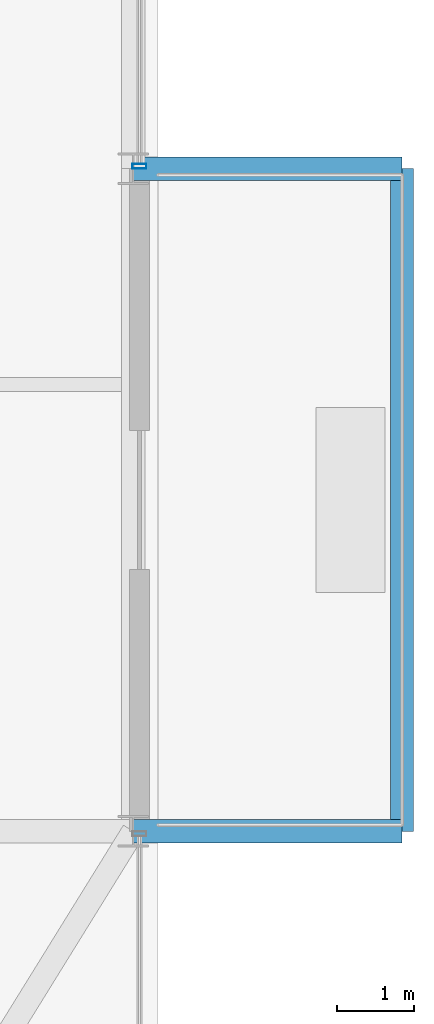
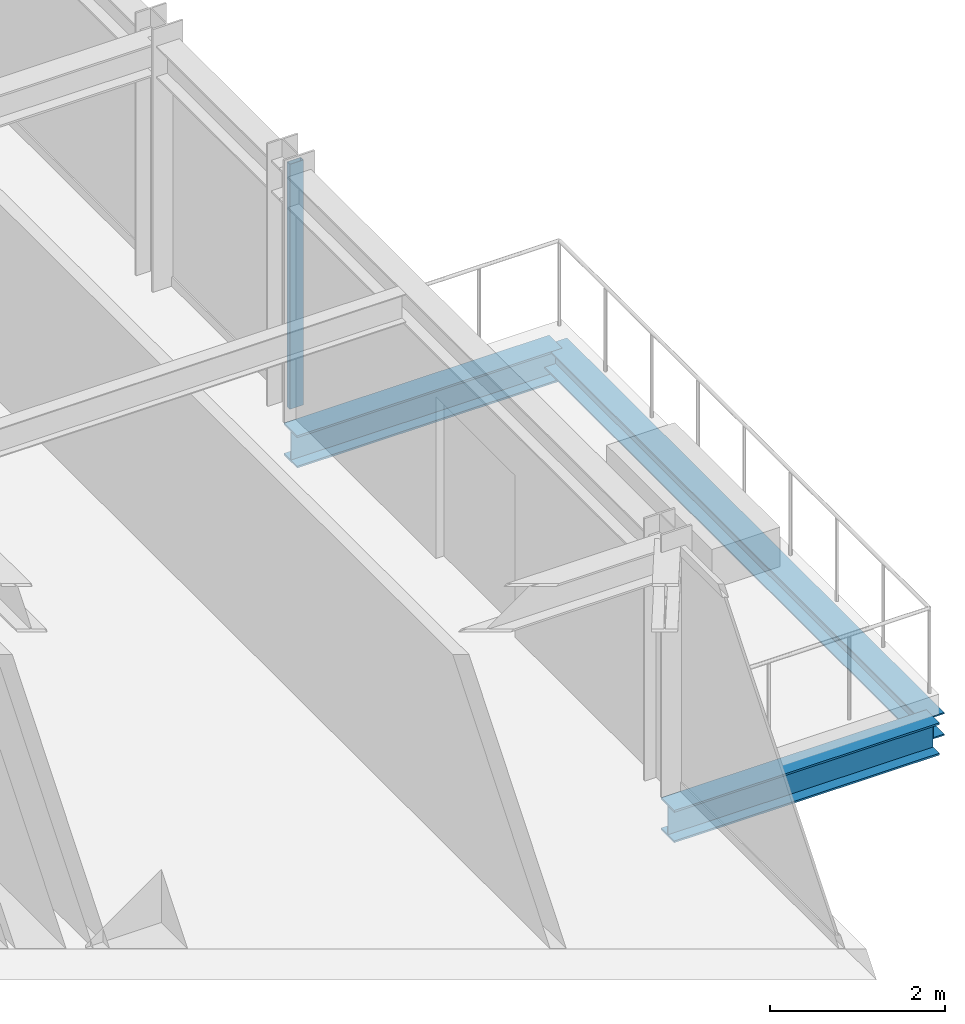
# One storey, part 15 of 36: 3 beams, 1 member, 1 element without a shape of its own.
"""IFC4 building model written with IfcOpenShell, lengths in metres."""

from ifc_helpers import new_model, si_unit, direction, frame, origin, origin_2d, place, context, subcontext, project, spatial, hollow_rectangle, i_section, extrude, source, transform, mapped, material, material_profile, profile_set, type_object, element, aggregate, save


model = new_model("IFC4")

# Units and contexts
model_context = context("Model", 3, precision=1e-05, world=origin(), true_north=direction((0.0, 1.0)))
body_context = subcontext(model_context, "Body", "Model", "MODEL_VIEW")
ifc_project = project(units=[si_unit("LENGTHUNIT", "METRE"), si_unit("AREAUNIT", "SQUARE_METRE"), si_unit("VOLUMEUNIT", "CUBIC_METRE"), si_unit("PLANEANGLEUNIT", "RADIAN"), si_unit("MASSUNIT", "GRAM", prefix="KILO")], contexts=[model_context])

# Site, building, storey
site_placement = place(None, origin())
site = spatial("IfcSite", under=ifc_project, at=site_placement, CompositionType="ELEMENT")
building_placement = place(site_placement, origin())
building = spatial("IfcBuilding", under=site, at=building_placement, Name="Nahalor Promenade Grand Hotel", CompositionType="ELEMENT")
storey_placement = place(building_placement, frame((0.0, 0.0, 234.5)))
storey = spatial("IfcBuildingStorey", under=building, at=storey_placement, Name="L60", CompositionType="ELEMENT", Elevation=234.5)

# Beams
ifc_material_1 = material(Name="Steel S355JR", Category="steel")
ifc_material_profile_1 = material_profile(ifc_material_1, i_section(OverallWidth=0.3, OverallDepth=0.32, WebThickness=0.0115, FlangeThickness=0.0205, at=origin_2d()), Name="HEB 320")
ifc_profile_set_1 = profile_set([ifc_material_profile_1], Name="Steel S355JR")
beam_type_1 = type_object("IfcBeamType", Name="Beam-BalcEdge-HEB320", PredefinedType="SPANDREL", material=ifc_profile_set_1)
shared_shape_1 = source(origin(), body_context, "Body", "SweptSolid", [
    extrude(i_section(OverallWidth=0.3, OverallDepth=0.32, WebThickness=0.0115, FlangeThickness=0.0205, at=origin_2d()), origin(), (0.0, 0.0, 1.0), 8.60009765625),
])
beam_placement = place(storey_placement, frame((27.3701171875, -17.0, -0.43994140625), z_axis=(0.0, 1.0, 0.0), x_axis=(-1.0, 0.0, 0.0)))
element("IfcBeam", 1, at=beam_placement, inside=storey, type_object=beam_type_1, Name="BM-L60-BC-02-F", PredefinedType="SPANDREL", context=body_context, shape_type="MappedRepresentation", body=[
    mapped(shared_shape_1, transform((0.0, 0.0, 0.0), scale=1.0)),
])
ifc_material_profile_2 = material_profile(ifc_material_1, i_section(OverallWidth=0.3, OverallDepth=0.45, WebThickness=0.014, FlangeThickness=0.026, at=origin_2d()), Name="HEB 450")
ifc_profile_set_2 = profile_set([ifc_material_profile_2], Name="Steel S355JR")
beam_type_2 = type_object("IfcBeamType", Name="Beam-Outrigger-HEB450", PredefinedType="BEAM", material=ifc_profile_set_2)
shared_shape_2 = source(origin(), body_context, "Body", "SweptSolid", [
    extrude(i_section(OverallWidth=0.3, OverallDepth=0.45, WebThickness=0.014, FlangeThickness=0.026, at=origin_2d()), origin(), (0.0, 0.0, 1.0), 3.490234375),
])
for number, where, z_axis, x_axis, name in (
    (2, (23.8798828125, -17.0, -0.5048828125), (1.0, 0.0, 0.0), (0.0, 1.0, 0.0), "BM-L60-BC-02-1"),
    (3, (23.8798828125, -8.39990234375, -0.5048828125), (1.0, 0.0, 0.0), (0.0, 1.0, 0.0), "BM-L60-BC-02-2"),
):
    element("IfcBeam", number, at=place(storey_placement, frame(where, z_axis=z_axis, x_axis=x_axis)), inside=storey, type_object=beam_type_2, Name=name, PredefinedType="BEAM", context=body_context, shape_type="MappedRepresentation", body=[
        mapped(shared_shape_2, transform((0.0, 0.0, 0.0), scale=1.0)),
    ])

# Curtain wall, member
ifc_material_2 = material(Name="Anodised Bronze Aluminium EN AW-6063 T6", Category="aluminium")
curtain_wall_type = type_object("IfcCurtainWallType", Name="CW2 Typical Hotel Flush Bronze Unitised Curtain Wall", PredefinedType="USERDEFINED", material=ifc_material_2)
curtain_wall_placement = place(storey_placement, origin())
curtain_wall = element("IfcCurtainWall", 4, at=curtain_wall_placement, inside=storey, type_object=curtain_wall_type, Name="L60 Curtain Wall CW-L60-E-3", ObjectType="UNITISED_CURTAIN_WALL", PredefinedType="USERDEFINED")
ifc_material_profile_3 = material_profile(ifc_material_2, hollow_rectangle(XDim=0.065, YDim=0.18, WallThickness=0.004, at=origin_2d()), Name="CWM 65x180x4")
ifc_profile_set_3 = profile_set([ifc_material_profile_3], Name="Anodised Bronze Aluminium EN AW-6063 T6")
member_type = type_object("IfcMemberType", Name="CWM2 Typical Bronze Mullion 65x180", PredefinedType="MULLION", material=ifc_profile_set_3)
shared_shape_3 = source(origin(), body_context, "Body", "SweptSolid", [
    extrude(hollow_rectangle(XDim=0.065, YDim=0.18, WallThickness=0.004, at=origin_2d()), origin(), (0.0, 0.0, 1.0), 3.409912109375),
])
member_placement = place(storey_placement, frame((23.9599609375, -8.367431640625, 0.0), z_axis=(0.0, 0.0, 1.0), x_axis=(0.0, 1.0, 0.0)))
member = element("IfcMember", 5, at=member_placement, type_object=member_type, Name="CW-L60-E-3 Mullion 0", PredefinedType="MULLION", context=body_context, shape_type="MappedRepresentation", body=[
    mapped(shared_shape_3, transform((0.0, 0.0, 0.0), scale=1.0)),
])
aggregate(curtain_wall, [member])

save(model, "model.ifc")
